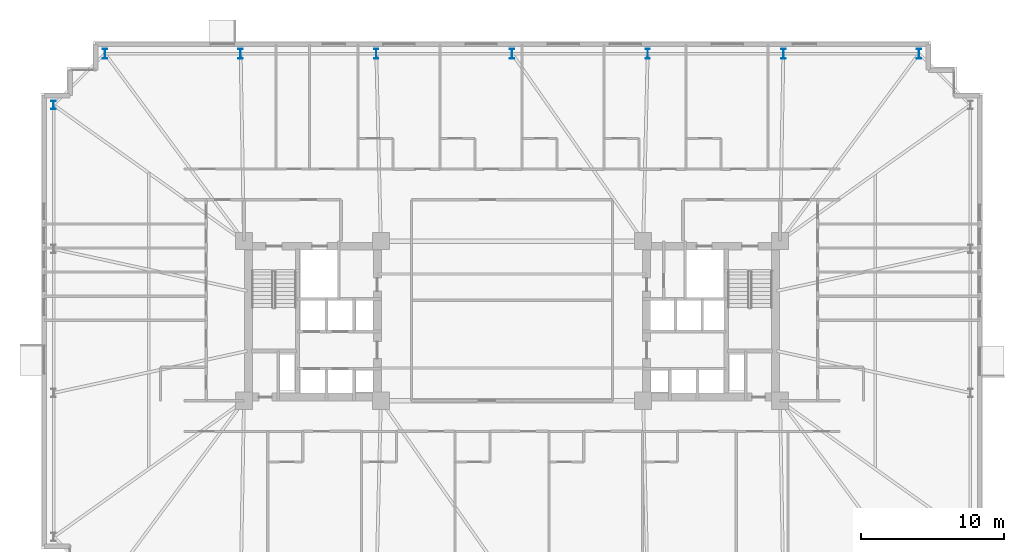
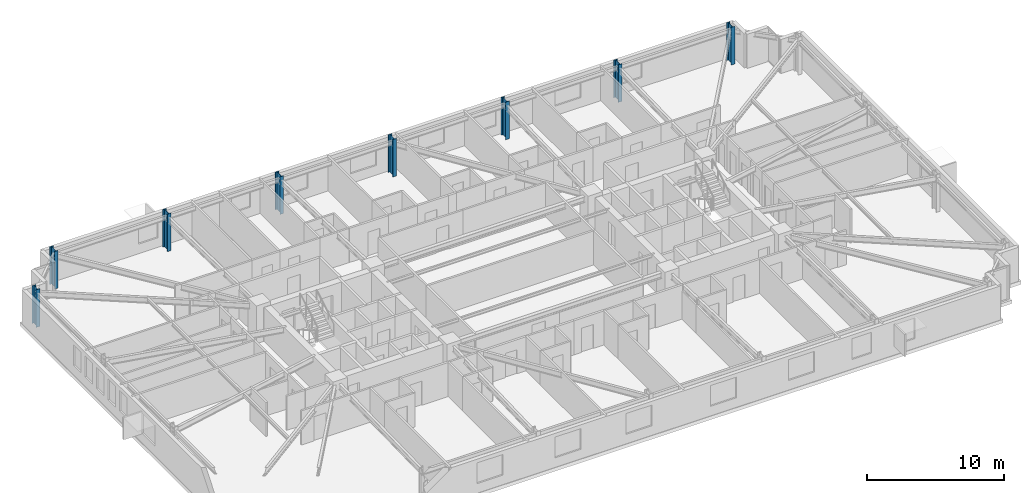
# One storey, part 2 of 21: 8 columns.
"""IFC4 building model written with IfcOpenShell, lengths in metres."""

from ifc_helpers import new_model, si_unit, direction, frame, origin, origin_2d, place, context, subcontext, project, spatial, i_section, extrude, material, material_profile, profile_set, type_object, element, save


model = new_model("IFC4")

# Units and contexts
model_context = context("Model", 3, precision=1e-05, world=origin(), true_north=direction((0.0, 1.0)))
body_context = subcontext(model_context, "Body", "Model", "MODEL_VIEW")
ifc_project = project(units=[si_unit("LENGTHUNIT", "METRE"), si_unit("AREAUNIT", "SQUARE_METRE"), si_unit("VOLUMEUNIT", "CUBIC_METRE"), si_unit("PLANEANGLEUNIT", "RADIAN"), si_unit("MASSUNIT", "GRAM", prefix="KILO")], contexts=[model_context])

# Site, building, storey
site_placement = place(None, origin())
site = spatial("IfcSite", under=ifc_project, at=site_placement, CompositionType="ELEMENT")
building_placement = place(site_placement, origin())
building = spatial("IfcBuilding", under=site, at=building_placement, Name="Qobustan Lattice House", CompositionType="ELEMENT")
storey_placement = place(building_placement, frame((0.0, 0.0, 57.14990234375)))
storey = spatial("IfcBuildingStorey", under=building, at=storey_placement, Name="L15", CompositionType="ELEMENT", Elevation=57.14990234375)

# Columns
ifc_material_1 = material(Name="Steel S460", Category="steel")
ifc_material_profile_1 = material_profile(ifc_material_1, i_section(OverallWidth=0.304931640625, OverallDepth=0.6201171875, WebThickness=0.02099609375, FlangeThickness=0.0400390625, FilletRadius=0.027099609375, at=origin_2d()), Name="HEM600")
ifc_profile_set_1 = profile_set([ifc_material_profile_1], Name="Steel S460")
column_type_1 = type_object("IfcColumnType", Name="COL-ST-HEM600", PredefinedType="COLUMN", material=ifc_profile_set_1)
column_placement = place(storey_placement, frame((-32.14990234375, 15.14990234375, 0.0), z_axis=(0.0, 0.0, 1.0), x_axis=(1.0, 0.0, 0.0)))
element("IfcColumn", 1, at=column_placement, inside=storey, type_object=column_type_1, Name="L15 B1 perimeter column W1", PredefinedType="COLUMN", context=body_context, shape_type="SweptSolid", body=[
    extrude(i_section(OverallWidth=0.304931640625, OverallDepth=0.6201171875, WebThickness=0.02099609375, FlangeThickness=0.0400390625, FilletRadius=0.027099609375, at=origin_2d()), origin(), (0.0, 0.0, 1.0), 3.35009765625),
])
ifc_material_2 = material(Name="Steel S460", Category="steel")
ifc_material_profile_2 = material_profile(ifc_material_2, i_section(OverallWidth=0.303955078125, OverallDepth=0.716064453125, WebThickness=0.02099609375, FlangeThickness=0.0400390625, FilletRadius=0.027099609375, at=origin_2d()), Name="HEM700")
ifc_profile_set_2 = profile_set([ifc_material_profile_2], Name="Steel S460")
column_type_2 = type_object("IfcColumnType", Name="COL-ST-HEM700", PredefinedType="COLUMN", material=ifc_profile_set_2)
for number, where, z_axis, x_axis, name in (
    (2, (28.550048828125, 18.75, 0.0), (0.0, 0.0, 1.0), (1.0, 0.0, 0.0), "L15 B1 perimeter column N1"),
    (3, (19.033203125, 18.75, 0.0), (0.0, 0.0, 1.0), (1.0, 0.0, 0.0), "L15 B1 perimeter column N2"),
    (4, (9.5166015625, 18.75, 0.0), (0.0, 0.0, 1.0), (1.0, 0.0, 0.0), "L15 B1 perimeter column N3"),
    (5, (0.0, 18.75, 0.0), (0.0, 0.0, 1.0), (1.0, 0.0, 0.0), "L15 B1 perimeter column N4"),
    (6, (-9.5166015625, 18.75, 0.0), (0.0, 0.0, 1.0), (1.0, 0.0, 0.0), "L15 B1 perimeter column N5"),
    (7, (-19.033203125, 18.75, 0.0), (0.0, 0.0, 1.0), (1.0, 0.0, 0.0), "L15 B1 perimeter column N6"),
    (8, (-28.550048828125, 18.75, 0.0), (0.0, 0.0, 1.0), (1.0, 0.0, 0.0), "L15 B1 perimeter column N7"),
):
    element("IfcColumn", number, at=place(storey_placement, frame(where, z_axis=z_axis, x_axis=x_axis)), inside=storey, type_object=column_type_2, Name=name, PredefinedType="COLUMN", context=body_context, shape_type="SweptSolid", body=[
        extrude(i_section(OverallWidth=0.303955078125, OverallDepth=0.716064453125, WebThickness=0.02099609375, FlangeThickness=0.0400390625, FilletRadius=0.027099609375, at=origin_2d()), origin(), (0.0, 0.0, 1.0), 3.35009765625),
    ])

save(model, "model.ifc")
